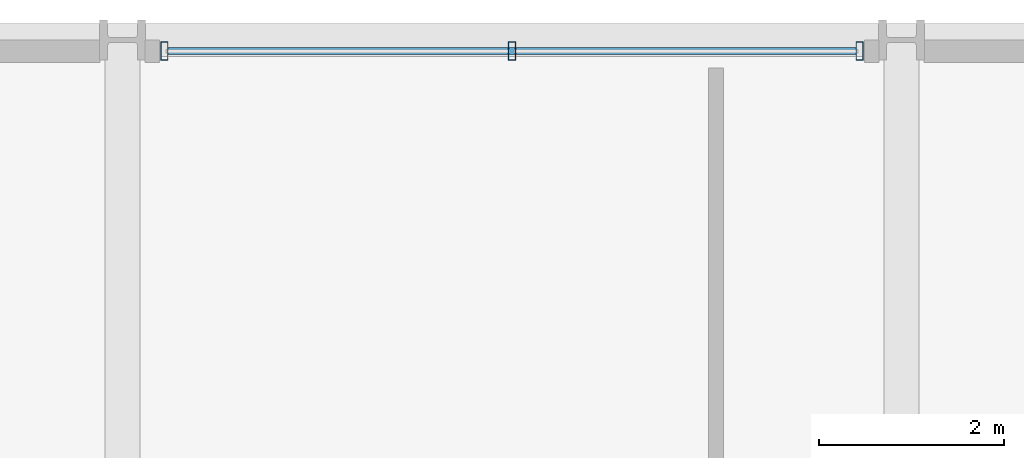
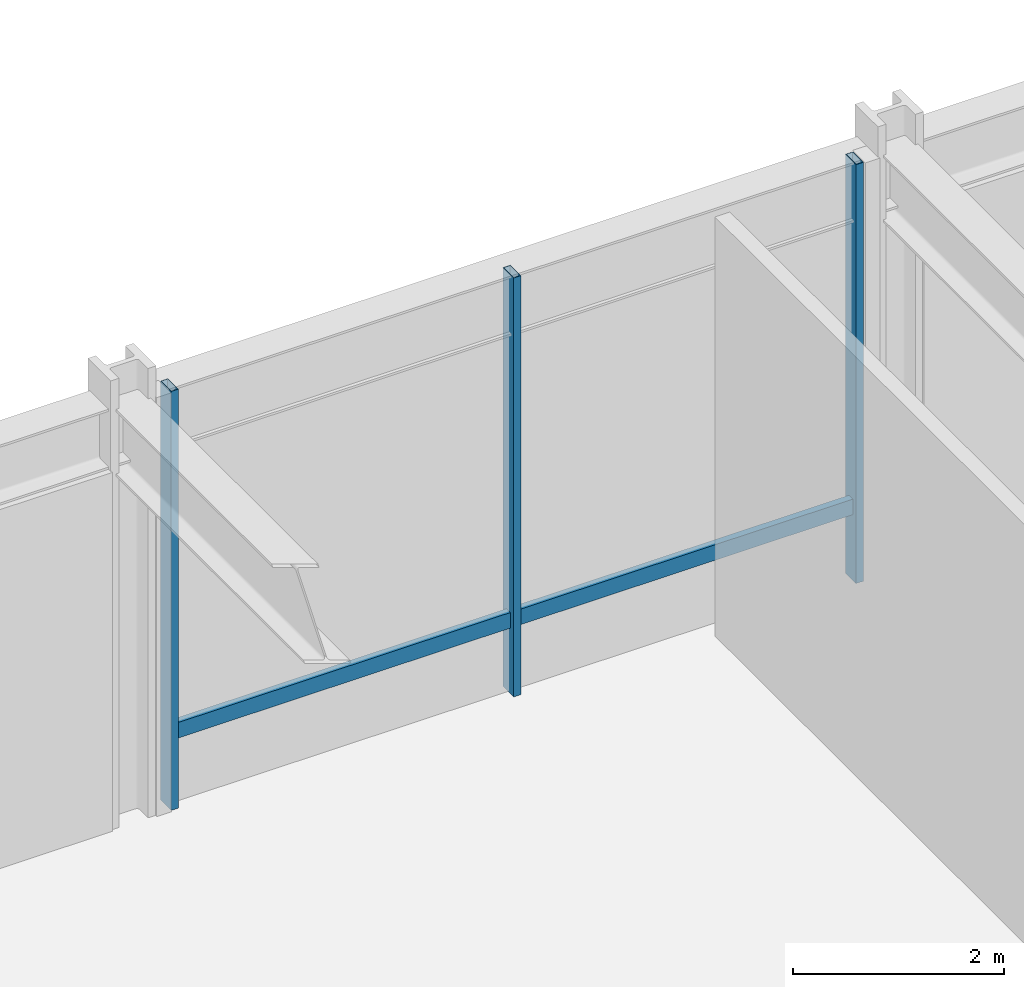
# One storey, part 5 of 20: 4 members, 1 element without a shape of its own.
"""IFC4 building model written with IfcOpenShell, lengths in metres."""

from ifc_helpers import new_model, si_unit, direction, frame, origin, origin_2d, place, context, subcontext, project, spatial, hollow_rectangle, extrude, material, layer, layer_set, material_profile, profile_set, type_object, element, aggregate, save


model = new_model("IFC4")

# Units and contexts
model_context = context("Model", 3, precision=1e-05, world=origin(), true_north=direction((0.0, 1.0)))
body_context = subcontext(model_context, "Body", "Model", "MODEL_VIEW")
ifc_project = project(units=[si_unit("LENGTHUNIT", "METRE"), si_unit("AREAUNIT", "SQUARE_METRE"), si_unit("VOLUMEUNIT", "CUBIC_METRE"), si_unit("PLANEANGLEUNIT", "RADIAN"), si_unit("MASSUNIT", "GRAM", prefix="KILO")], contexts=[model_context])

# Site, building, storey
site_placement = place(None, origin())
site = spatial("IfcSite", under=ifc_project, at=site_placement, CompositionType="ELEMENT")
building_placement = place(site_placement, origin())
building = spatial("IfcBuilding", under=site, at=building_placement, Name="Drelvath Grand Hotel", CompositionType="ELEMENT")
storey_placement = place(building_placement, frame((0.0, 0.0, 5.60009765625)))
storey = spatial("IfcBuildingStorey", under=building, at=storey_placement, Name="L01", CompositionType="ELEMENT", Elevation=5.60009765625)

# Curtain wall, members
ifc_material = material(Name="Dark Bronze Anodised Aluminium Frame", Category="aluminium")
ifc_layer = layer(ifc_material, 0.199951171875)
ifc_layer_set = layer_set([ifc_layer], Name="Dark Bronze Anodised Aluminium Frame")
curtain_wall_type = type_object("IfcCurtainWallType", Name="Stick Curtain Wall CW-01 Dark Bronze Podium", PredefinedType="NOTDEFINED", material=ifc_layer_set)
curtain_wall_placement = place(storey_placement, origin())
curtain_wall = element("IfcCurtainWall", 1, at=curtain_wall_placement, inside=storey, type_object=curtain_wall_type, Name="L01 CW-01 Curtain Wall CW01-L01-NC1", PredefinedType="NOTDEFINED")
ifc_material_profile_1 = material_profile(ifc_material, hollow_rectangle(XDim=0.074951171875, YDim=0.179931640625, WallThickness=0.0048828125, at=origin_2d()), Name="HSS180X75X5")
ifc_profile_set_1 = profile_set([ifc_material_profile_1], Name="Dark Bronze Anodised Aluminium Frame")
member_type_1 = type_object("IfcMemberType", Name="Curtain Wall Horizontal Transom CW-01 HSS180X75X5", PredefinedType="USERDEFINED", material=ifc_profile_set_1)
member_1_placement = place(storey_placement, frame((-7.909912109375, 53.8798828125, 0.849853515625), z_axis=(1.0, 0.0, 0.0), x_axis=(0.0, 1.0, 0.0)))
member_1 = element("IfcMember", 2, at=member_1_placement, type_object=member_type_1, Name="CW01-L01-NC1 Sill Transom", ObjectType="TRANSOM", PredefinedType="USERDEFINED", context=body_context, shape_type="SweptSolid", body=[
    extrude(hollow_rectangle(XDim=0.074951171875, YDim=0.179931640625, WallThickness=0.0048828125, at=origin_2d()), origin(), (0.0, 0.0, 1.0), 7.419921875),
])
ifc_material_profile_2 = material_profile(ifc_material, hollow_rectangle(XDim=0.080078125, YDim=0.199951171875, WallThickness=0.0048828125, at=origin_2d()), Name="HSS200X80X5")
ifc_profile_set_2 = profile_set([ifc_material_profile_2], Name="Dark Bronze Anodised Aluminium Frame")
member_type_2 = type_object("IfcMemberType", Name="Curtain Wall Vertical Mullion CW-01 HSS200X80X5", PredefinedType="MULLION", material=ifc_profile_set_2)
member_2_placement = place(storey_placement, frame((-7.949951171875, 53.8798828125, 0.0), z_axis=(0.0, 0.0, 1.0), x_axis=(1.0, 0.0, 0.0)))
member_2 = element("IfcMember", 3, at=member_2_placement, type_object=member_type_2, Name="CW01-L01-NC1 Mullion 1", PredefinedType="MULLION", context=body_context, shape_type="SweptSolid", body=[
    extrude(hollow_rectangle(XDim=0.080078125, YDim=0.199951171875, WallThickness=0.0048828125, at=origin_2d()), origin(), (0.0, 0.0, 1.0), 4.849853515625),
])
member_3_placement = place(storey_placement, frame((-4.199951171875, 53.8798828125, 0.0), z_axis=(0.0, 0.0, 1.0), x_axis=(1.0, 0.0, 0.0)))
member_3 = element("IfcMember", 4, at=member_3_placement, type_object=member_type_2, Name="CW01-L01-NC1 Mullion 2", PredefinedType="MULLION", context=body_context, shape_type="SweptSolid", body=[
    extrude(hollow_rectangle(XDim=0.080078125, YDim=0.199951171875, WallThickness=0.0048828125, at=origin_2d()), origin(), (0.0, 0.0, 1.0), 4.849853515625),
])
member_4_placement = place(storey_placement, frame((-0.449951171875, 53.8798828125, 0.0), z_axis=(0.0, 0.0, 1.0), x_axis=(1.0, 0.0, 0.0)))
member_4 = element("IfcMember", 5, at=member_4_placement, type_object=member_type_2, Name="CW01-L01-NC1 Mullion 3", PredefinedType="MULLION", context=body_context, shape_type="SweptSolid", body=[
    extrude(hollow_rectangle(XDim=0.080078125, YDim=0.199951171875, WallThickness=0.0048828125, at=origin_2d()), origin(), (0.0, 0.0, 1.0), 4.849853515625),
])
aggregate(curtain_wall, [member_2, member_3, member_4, member_1])

save(model, "model.ifc")
